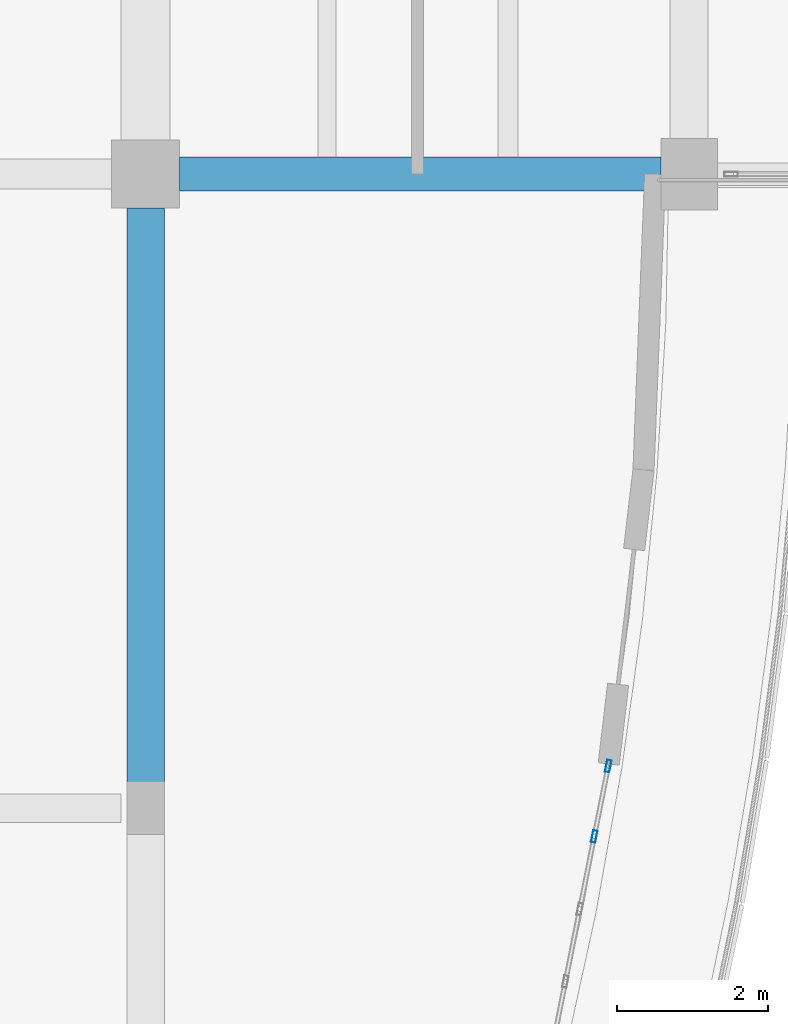
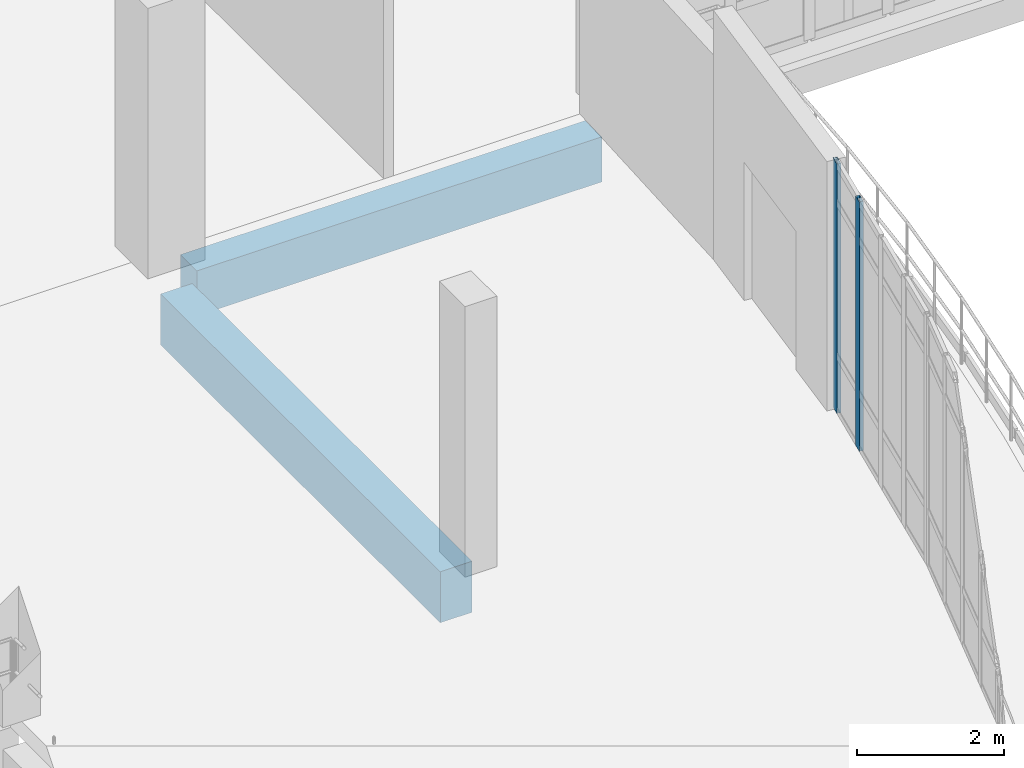
# One storey, part 62 of 134: 2 beams, 2 members, 1 element without a shape of its own.
"""IFC4 building model written with IfcOpenShell, lengths in metres."""

from ifc_helpers import new_model, si_unit, direction, frame, origin, origin_2d, place, context, subcontext, project, spatial, rectangle, hollow_rectangle, extrude, material, material_profile, profile_set, type_object, element, aggregate, save


model = new_model("IFC4")

# Units and contexts
model_context = context("Model", 3, precision=1e-05, world=origin(), true_north=direction((0.0, 1.0)))
body_context = subcontext(model_context, "Body", "Model", "MODEL_VIEW")
ifc_project = project(units=[si_unit("LENGTHUNIT", "METRE"), si_unit("AREAUNIT", "SQUARE_METRE"), si_unit("VOLUMEUNIT", "CUBIC_METRE"), si_unit("PLANEANGLEUNIT", "RADIAN"), si_unit("MASSUNIT", "GRAM", prefix="KILO")], contexts=[model_context])

# Site, building, storey
site_placement = place(None, origin())
site = spatial("IfcSite", under=ifc_project, at=site_placement, CompositionType="ELEMENT")
building_placement = place(site_placement, origin())
building = spatial("IfcBuilding", under=site, at=building_placement, Name="Kalluvel Institute of Natural Sciences", CompositionType="ELEMENT")
storey_placement = place(building_placement, frame((0.0, 0.0, 5.39990234375)))
storey = spatial("IfcBuildingStorey", under=building, at=storey_placement, Name="L01", CompositionType="ELEMENT", Elevation=5.39990234375)

# Beams
ifc_material_1 = material(Name="Concrete M40", Category="concrete")
ifc_material_profile_1 = material_profile(ifc_material_1, rectangle(XDim=0.449951171875, YDim=0.75, at=origin_2d()), Name="RCB 450x750")
ifc_profile_set_1 = profile_set([ifc_material_profile_1], Name="Concrete M40")
beam_type_1 = type_object("IfcBeamType", Name="BM-RC450x750", PredefinedType="BEAM", material=ifc_profile_set_1)
beam_1_placement = place(storey_placement, frame((79.25, 102.800048828125, -0.69482421875), z_axis=(1.0, 0.0, 0.0), x_axis=(0.0, 1.0, 0.0)))
element("IfcBeam", 1, at=beam_1_placement, inside=storey, type_object=beam_type_1, Name="L01 girder GIR-L01-EW-X788-Y1028", PredefinedType="BEAM", context=body_context, shape_type="SweptSolid", body=[
    extrude(rectangle(XDim=0.449951171875, YDim=0.75, at=origin_2d()), origin(), (0.0, 0.0, 1.0), 6.375),
])
ifc_material_2 = material(Name="Concrete M50", Category="concrete")
ifc_material_profile_2 = material_profile(ifc_material_2, rectangle(XDim=0.5, YDim=0.85009765625, at=origin_2d()), Name="RCB 500x850")
ifc_profile_set_2 = profile_set([ifc_material_profile_2], Name="Concrete M50")
beam_type_2 = type_object("IfcBeamType", Name="BM-RC500x850", PredefinedType="BEAM", material=ifc_profile_set_2)
beam_2_placement = place(storey_placement, frame((78.800048828125, 94.72509765625, -0.744873046875), z_axis=(0.0, 1.0, 0.0), x_axis=(-1.0, 0.0, 0.0)))
element("IfcBeam", 2, at=beam_2_placement, inside=storey, type_object=beam_type_2, Name="L01 girder GIR-L01-NS-X788-Y944", PredefinedType="BEAM", context=body_context, shape_type="SweptSolid", body=[
    extrude(rectangle(XDim=0.5, YDim=0.85009765625, at=origin_2d()), origin(), (0.0, 0.0, 1.0), 7.625),
])

# Curtain wall, members
ifc_material_3 = material(Name="Aluminium AW-6063 T6", Category="aluminium")
curtain_wall_type = type_object("IfcCurtainWallType", Name="CW-ATR-ARC", PredefinedType="USERDEFINED", material=ifc_material_3)
curtain_wall_placement = place(storey_placement, origin())
curtain_wall = element("IfcCurtainWall", 3, at=curtain_wall_placement, inside=storey, type_object=curtain_wall_type, Name="L01 Gothic lancet curtain wall CWA-L01-X842-Y911", ObjectType="UNITISED LANCET FACADE", PredefinedType="USERDEFINED")
ifc_material_profile_3 = material_profile(ifc_material_3, hollow_rectangle(XDim=0.06005859375, YDim=0.159912109375, WallThickness=0.00390625, at=origin_2d()), Name="CWM 60x160")
ifc_profile_set_3 = profile_set([ifc_material_profile_3], Name="Aluminium AW-6063 T6")
member_type = type_object("IfcMemberType", Name="CWM-60x160", PredefinedType="MULLION", material=ifc_profile_set_3)
member_1_placement = place(storey_placement, frame((84.74365234375, 94.0244140625, 0.0), z_axis=(0.0, 0.0, 1.0), x_axis=(-0.980788022263, 0.195076537251, 0.0)))
member_1 = element("IfcMember", 4, at=member_1_placement, type_object=member_type, Name="CW-05 mullion 4", PredefinedType="MULLION", context=body_context, shape_type="SweptSolid", body=[
    extrude(hollow_rectangle(XDim=0.06005859375, YDim=0.159912109375, WallThickness=0.00390625, at=origin_2d()), origin(), (0.0, 0.0, 1.0), 4.150146484375),
])
member_2_placement = place(storey_placement, frame((84.92919921875, 94.956787109375, 0.0), z_axis=(0.0, 0.0, 1.0), x_axis=(-0.980788022263, 0.195076537251, 0.0)))
member_2 = element("IfcMember", 5, at=member_2_placement, type_object=member_type, Name="CW-05 mullion 5", PredefinedType="MULLION", context=body_context, shape_type="SweptSolid", body=[
    extrude(hollow_rectangle(XDim=0.06005859375, YDim=0.159912109375, WallThickness=0.00390625, at=origin_2d()), origin(), (0.0, 0.0, 1.0), 4.150146484375),
])
aggregate(curtain_wall, [member_1, member_2])

save(model, "model.ifc")
